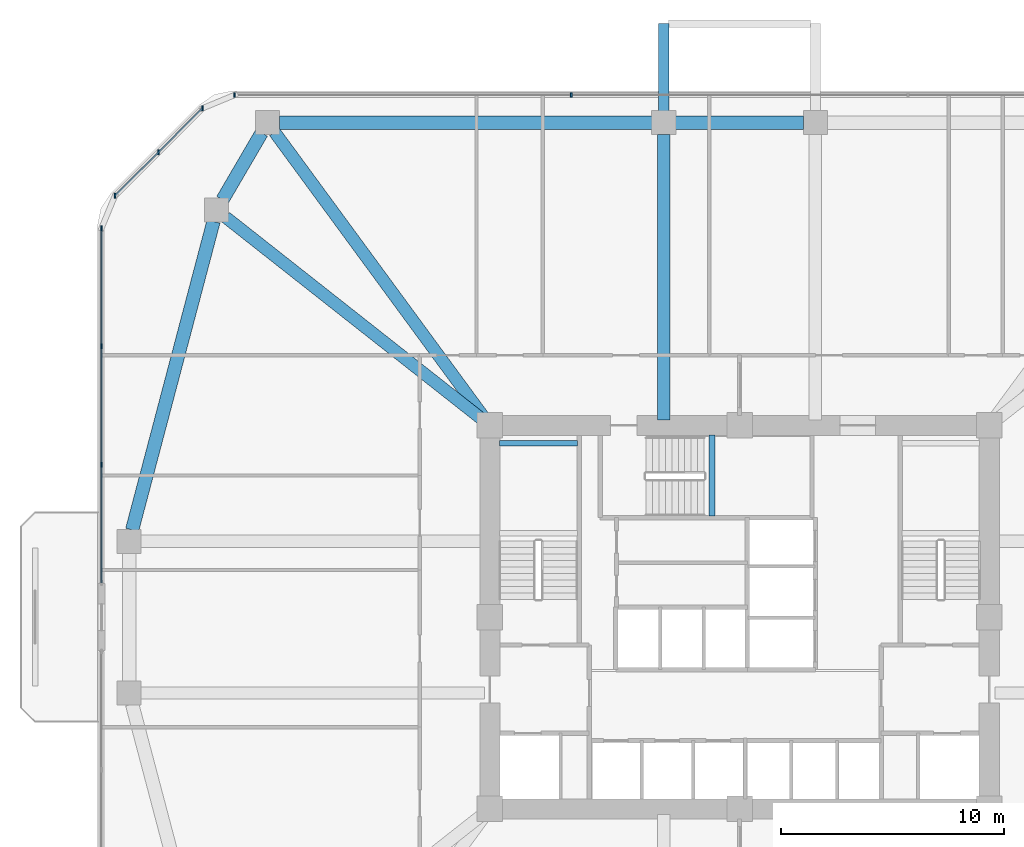
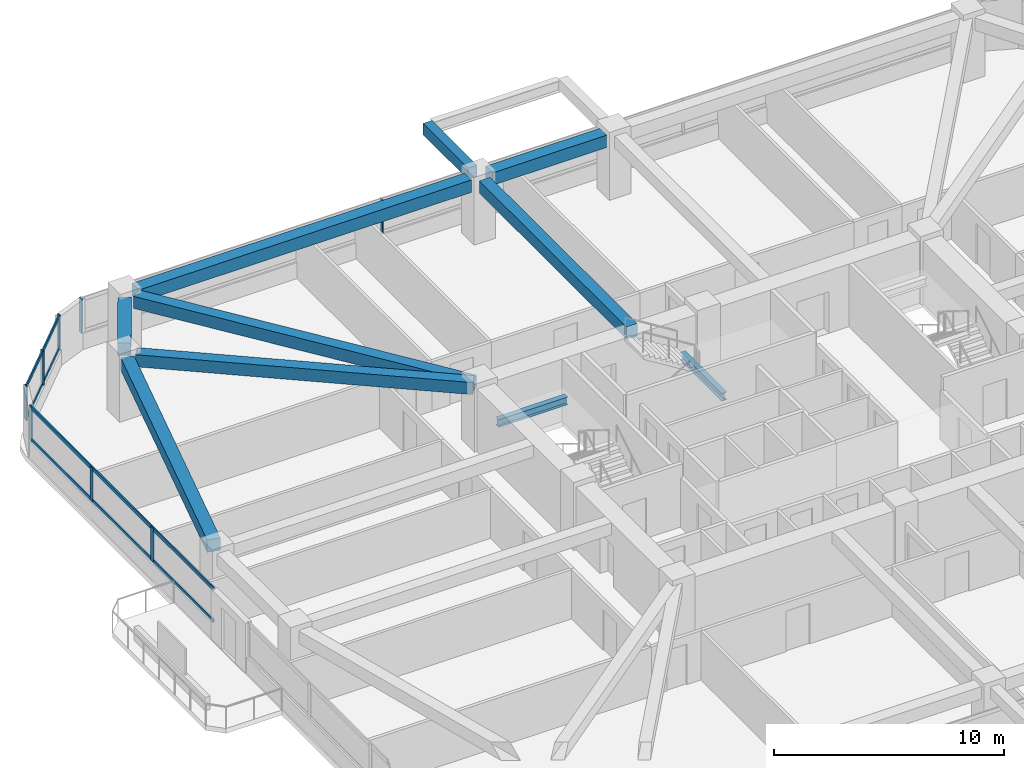
# One storey, part 5 of 14: 12 members, 10 beams, 3 elements without a shape of their own.
"""IFC4 building model written with IfcOpenShell, lengths in metres."""

from ifc_helpers import new_model, si_unit, derived_unit, direction, frame, origin, origin_2d, place, context, subcontext, project, spatial, rectangle, i_section, extrude, material, material_profile, profile_set, type_object, element, aggregate, save


model = new_model("IFC4")

# Units and contexts
model_context = context("Model", 3, precision=1e-05, world=origin(), true_north=direction((0.0, 1.0)))
body_context = subcontext(model_context, "Body", "Model", "MODEL_VIEW")
ifc_project = project(units=[si_unit("LENGTHUNIT", "METRE"), si_unit("AREAUNIT", "SQUARE_METRE"), si_unit("VOLUMEUNIT", "CUBIC_METRE"), si_unit("PLANEANGLEUNIT", "RADIAN"), si_unit("MASSUNIT", "GRAM", prefix="KILO"), derived_unit("THERMALTRANSMITTANCEUNIT", [(si_unit("POWERUNIT", "WATT"), 1), (si_unit("LENGTHUNIT", "METRE"), -2), (si_unit("THERMODYNAMICTEMPERATUREUNIT", "KELVIN"), -1)])], contexts=[model_context])

# Site, building, storey
site_placement = place(None, origin())
site = spatial("IfcSite", under=ifc_project, at=site_placement, CompositionType="ELEMENT")
building_placement = place(site_placement, origin())
building = spatial("IfcBuilding", under=site, at=building_placement, Name="Koralith Skygarden Medical Center", CompositionType="ELEMENT")
storey_placement = place(building_placement, frame((0.0, 0.0, 34.739990234375)))
storey = spatial("IfcBuildingStorey", under=building, at=storey_placement, Name="L08", CompositionType="ELEMENT", Elevation=34.739990234375)

# Curtain wall, members
ifc_material_1 = material(Name="Clear Laminated Glass", Category="glass")
curtain_wall_type = type_object("IfcCurtainWallType", Name="CW-2 Zone 1 Hurricane Unitised Curtain Wall", PredefinedType="NOTDEFINED", material=ifc_material_1)
curtain_wall_1_placement = place(storey_placement, origin())
curtain_wall_1 = element("IfcCurtainWall", 1, at=curtain_wall_1_placement, inside=storey, type_object=curtain_wall_type, Name="Curtain Wall CW-L08-N", PredefinedType="NOTDEFINED")
ifc_material_2 = material(Name="Aluminium 6063-T6", Category="aluminium")
ifc_material_profile_1 = material_profile(ifc_material_2, rectangle(XDim=0.071044921875, YDim=0.219970703125, at=origin_2d()), Name="MUL71X220")
ifc_profile_set_1 = profile_set([ifc_material_profile_1], Name="Aluminium 6063-T6")
member_type_1 = type_object("IfcMemberType", Name="CW-2 Extruded Mullion 71x220", PredefinedType="MULLION", material=ifc_profile_set_1)
member_1_placement = place(storey_placement, frame((29.451904296875, 49.320068359375, 0.85009765625), z_axis=(0.0, 0.0, 1.0), x_axis=(1.0, 0.0, 0.0)))
member_1 = element("IfcMember", 2, at=member_1_placement, type_object=member_type_1, Name="CW-L08-N Mullion 3", PredefinedType="MULLION", context=body_context, shape_type="SweptSolid", body=[
    extrude(rectangle(XDim=0.071044921875, YDim=0.219970703125, at=origin_2d()), origin(), (0.0, 0.0, 1.0), 1.7998046875),
])
member_2_placement = place(storey_placement, frame((14.35498046875, 49.320068359375, 0.85009765625), z_axis=(0.0, 0.0, 1.0), x_axis=(1.0, 0.0, 0.0)))
member_2 = element("IfcMember", 3, at=member_2_placement, type_object=member_type_1, Name="CW-L08-N Mullion 4", PredefinedType="MULLION", context=body_context, shape_type="SweptSolid", body=[
    extrude(rectangle(XDim=0.071044921875, YDim=0.219970703125, at=origin_2d()), origin(), (0.0, 0.0, 1.0), 1.7998046875),
])
aggregate(curtain_wall_1, [member_1, member_2])

curtain_wall_2_placement = place(storey_placement, origin())
curtain_wall_2 = element("IfcCurtainWall", 4, at=curtain_wall_2_placement, inside=storey, type_object=curtain_wall_type, Name="Curtain Wall CW-L08-NW", PredefinedType="NOTDEFINED")
member_3_placement = place(storey_placement, frame((12.904052734375, 48.718994140625, 0.85009765625), z_axis=(0.0, 0.0, 1.0), x_axis=(1.0, 0.0, 0.0)))
member_3 = element("IfcMember", 5, at=member_3_placement, type_object=member_type_1, Name="CW-L08-NW Mullion 1", PredefinedType="MULLION", context=body_context, shape_type="SweptSolid", body=[
    extrude(rectangle(XDim=0.071044921875, YDim=0.219970703125, at=origin_2d()), origin(), (0.0, 0.0, 1.0), 1.7998046875),
])
member_4_placement = place(storey_placement, frame((10.94189453125, 46.758056640625, 0.85009765625), z_axis=(0.0, 0.0, 1.0), x_axis=(1.0, 0.0, 0.0)))
member_4 = element("IfcMember", 6, at=member_4_placement, type_object=member_type_1, Name="CW-L08-NW Mullion 2", PredefinedType="MULLION", context=body_context, shape_type="SweptSolid", body=[
    extrude(rectangle(XDim=0.071044921875, YDim=0.219970703125, at=origin_2d()), origin(), (0.0, 0.0, 1.0), 1.7998046875),
])
member_5_placement = place(storey_placement, frame((8.98095703125, 44.7958984375, 0.85009765625), z_axis=(0.0, 0.0, 1.0), x_axis=(1.0, 0.0, 0.0)))
member_5 = element("IfcMember", 7, at=member_5_placement, type_object=member_type_1, Name="CW-L08-NW Mullion 3", PredefinedType="MULLION", context=body_context, shape_type="SweptSolid", body=[
    extrude(rectangle(XDim=0.071044921875, YDim=0.219970703125, at=origin_2d()), origin(), (0.0, 0.0, 1.0), 1.7998046875),
])

curtain_wall_3_placement = place(storey_placement, origin())
curtain_wall_3 = element("IfcCurtainWall", 8, at=curtain_wall_3_placement, inside=storey, type_object=curtain_wall_type, Name="Curtain Wall CW-L08-W-L", PredefinedType="NOTDEFINED")
member_6_placement = place(storey_placement, frame((8.3798828125, 43.344970703125, 0.85009765625), z_axis=(0.0, 0.0, 1.0), x_axis=(1.0, 0.0, 0.0)))
member_6 = element("IfcMember", 9, at=member_6_placement, type_object=member_type_1, Name="CW-L08-W-L Mullion 1", PredefinedType="MULLION", context=body_context, shape_type="SweptSolid", body=[
    extrude(rectangle(XDim=0.071044921875, YDim=0.219970703125, at=origin_2d()), origin(), (0.0, 0.0, 1.0), 1.7998046875),
])
member_7_placement = place(storey_placement, frame((8.3798828125, 38.04296875, 0.85009765625), z_axis=(0.0, 0.0, 1.0), x_axis=(1.0, 0.0, 0.0)))
member_7 = element("IfcMember", 10, at=member_7_placement, type_object=member_type_1, Name="CW-L08-W-L Mullion 2", PredefinedType="MULLION", context=body_context, shape_type="SweptSolid", body=[
    extrude(rectangle(XDim=0.071044921875, YDim=0.219970703125, at=origin_2d()), origin(), (0.0, 0.0, 1.0), 1.7998046875),
])
member_8_placement = place(storey_placement, frame((8.3798828125, 32.741943359375, 0.85009765625), z_axis=(0.0, 0.0, 1.0), x_axis=(1.0, 0.0, 0.0)))
member_8 = element("IfcMember", 11, at=member_8_placement, type_object=member_type_1, Name="CW-L08-W-L Mullion 3", PredefinedType="MULLION", context=body_context, shape_type="SweptSolid", body=[
    extrude(rectangle(XDim=0.071044921875, YDim=0.219970703125, at=origin_2d()), origin(), (0.0, 0.0, 1.0), 1.7998046875),
])

# Member
ifc_material_profile_2 = material_profile(ifc_material_2, rectangle(XDim=0.06591796875, YDim=0.197998046875, at=origin_2d()), Name="TRN66X198")
ifc_profile_set_2 = profile_set([ifc_material_profile_2], Name="Aluminium 6063-T6")
member_type_2 = type_object("IfcMemberType", Name="CW-2 Thermal Transom 66x198", PredefinedType="USERDEFINED", material=ifc_profile_set_2)
member_9_placement = place(storey_placement, frame((12.904052734375, 48.718994140625, 0.89990234375), z_axis=(-0.707106781187, -0.707106781187, 0.0), x_axis=(0.707106781187, -0.707106781187, 0.0)))
member_9 = element("IfcMember", 12, at=member_9_placement, type_object=member_type_2, Name="CW-L08-NW Transom 1", ObjectType="TRANSOM", PredefinedType="USERDEFINED", context=body_context, shape_type="SweptSolid", body=[
    extrude(rectangle(XDim=0.06591796875, YDim=0.197998046875, at=origin_2d()), origin(), (0.0, 0.0, 1.0), 5.548095703125),
])

member_10_placement = place(storey_placement, frame((12.904052734375, 48.718994140625, 2.60009765625), z_axis=(-0.707106781187, -0.707106781187, 0.0), x_axis=(0.707106781187, -0.707106781187, 0.0)))
member_10 = element("IfcMember", 13, at=member_10_placement, type_object=member_type_2, Name="CW-L08-NW Transom 2", ObjectType="TRANSOM", PredefinedType="USERDEFINED", context=body_context, shape_type="SweptSolid", body=[
    extrude(rectangle(XDim=0.06591796875, YDim=0.197998046875, at=origin_2d()), origin(), (0.0, 0.0, 1.0), 5.548095703125),
])

aggregate(curtain_wall_2, [member_3, member_4, member_5, member_9, member_10])

member_11_placement = place(storey_placement, frame((8.3798828125, 43.344970703125, 0.89990234375), z_axis=(0.0, -1.0, 0.0), x_axis=(1.0, 0.0, 0.0)))
member_11 = element("IfcMember", 14, at=member_11_placement, type_object=member_type_2, Name="CW-L08-W-L Transom 1", ObjectType="TRANSOM", PredefinedType="USERDEFINED", context=body_context, shape_type="SweptSolid", body=[
    extrude(rectangle(XDim=0.06591796875, YDim=0.197998046875, at=origin_2d()), origin(), (0.0, 0.0, 1.0), 15.905029296875),
])

member_12_placement = place(storey_placement, frame((8.3798828125, 43.344970703125, 2.60009765625), z_axis=(0.0, -1.0, 0.0), x_axis=(1.0, 0.0, 0.0)))
member_12 = element("IfcMember", 15, at=member_12_placement, type_object=member_type_2, Name="CW-L08-W-L Transom 2", ObjectType="TRANSOM", PredefinedType="USERDEFINED", context=body_context, shape_type="SweptSolid", body=[
    extrude(rectangle(XDim=0.06591796875, YDim=0.197998046875, at=origin_2d()), origin(), (0.0, 0.0, 1.0), 15.905029296875),
])

aggregate(curtain_wall_3, [member_6, member_7, member_8, member_11, member_12])

# Beams
ifc_material_3 = material(Name="Steel ASTM A992 Grade 50", Category="steel")
ifc_material_profile_3 = material_profile(ifc_material_3, i_section(OverallWidth=0.260009765625, OverallDepth=0.4150390625, WebThickness=0.010009765625, FlangeThickness=0.016845703125, at=origin_2d()), Name="W16X67")
ifc_profile_set_3 = profile_set([ifc_material_profile_3], Name="Steel ASTM A992 Grade 50")
beam_type_1 = type_object("IfcBeamType", Name="Clinical Floor Joist W16X67", PredefinedType="JOIST", material=ifc_profile_set_3)
beam_1_placement = place(storey_placement, frame((26.22998046875, 33.699951171875, 1.39208984375), z_axis=(1.0, 0.0, 0.0), x_axis=(0.0, 1.0, 0.0)))
element("IfcBeam", 16, at=beam_1_placement, inside=storey, type_object=beam_type_1, Name="L08 Stair ST1 Half-Landing Support Beam 1B", PredefinedType="JOIST", context=body_context, shape_type="SweptSolid", body=[
    extrude(i_section(OverallWidth=0.260009765625, OverallDepth=0.4150390625, WebThickness=0.010009765625, FlangeThickness=0.016845703125, at=origin_2d()), origin(), (0.0, 0.0, 1.0), 3.489990234375),
])
beam_2_placement = place(storey_placement, frame((35.760009765625, 30.43994140625, 1.39208984375), z_axis=(0.0, 1.0, 0.0), x_axis=(-1.0, 0.0, 0.0)))
element("IfcBeam", 17, at=beam_2_placement, inside=storey, type_object=beam_type_1, Name="L08 Stair ST3 Half-Landing Support Beam 1A", PredefinedType="JOIST", context=body_context, shape_type="SweptSolid", body=[
    extrude(i_section(OverallWidth=0.260009765625, OverallDepth=0.4150390625, WebThickness=0.010009765625, FlangeThickness=0.016845703125, at=origin_2d()), origin(), (0.0, 0.0, 1.0), 3.630126953125),
])
ifc_material_4 = material(Name="Concrete C45/55", Category="concrete")
ifc_material_profile_4 = material_profile(ifc_material_4, rectangle(XDim=0.449951171875, YDim=0.60009765625, at=origin_2d()), Name="RCB450X600")
ifc_profile_set_4 = profile_set([ifc_material_profile_4], Name="Concrete C45/55")
beam_type_2 = type_object("IfcBeamType", Name="Planted Balcony Cantilever Beam RCB450X600", PredefinedType="BEAM", material=ifc_profile_set_4)
beam_3_placement = place(storey_placement, frame((33.60009765625, 48.60009765625, 3.0400390625), z_axis=(0.0, 1.0, 0.0), x_axis=(-1.0, 0.0, 0.0)))
element("IfcBeam", 18, at=beam_3_placement, inside=storey, type_object=beam_type_2, Name="L09 N Balcony Cantilever Beam A", PredefinedType="BEAM", context=body_context, shape_type="SweptSolid", body=[
    extrude(rectangle(XDim=0.449951171875, YDim=0.60009765625, at=origin_2d()), origin(), (0.0, 0.0, 1.0), 3.919921875),
])
ifc_material_profile_5 = material_profile(ifc_material_4, rectangle(XDim=0.550048828125, YDim=0.639892578125, at=origin_2d()), Name="RCB550X640")
ifc_profile_set_5 = profile_set([ifc_material_profile_5], Name="Concrete C45/55")
beam_type_3 = type_object("IfcBeamType", Name="Radial Collector Beam RCB550X640", PredefinedType="BEAM", material=ifc_profile_set_5)
beam_4_placement = place(storey_placement, frame((33.60009765625, 34.75, 3.0), z_axis=(0.0, 1.0, 0.0), x_axis=(-1.0, 0.0, 0.0)))
element("IfcBeam", 19, at=beam_4_placement, inside=storey, type_object=beam_type_3, Name="L08 Radial Collector Beam RB-13", PredefinedType="BEAM", context=body_context, shape_type="SweptSolid", body=[
    extrude(rectangle(XDim=0.550048828125, YDim=0.639892578125, at=origin_2d()), origin(), (0.0, 0.0, 1.0), 12.800048828125),
])
beam_5_placement = place(storey_placement, frame((25.652099609375, 34.701904296875, 3.0), z_axis=(-0.591710803277, 0.806150311843, 0.0), x_axis=(-0.806150311843, -0.591710803277, 0.0)))
element("IfcBeam", 20, at=beam_5_placement, inside=storey, type_object=beam_type_3, Name="L08 Radial Collector Beam RB-14", PredefinedType="BEAM", context=body_context, shape_type="SweptSolid", body=[
    extrude(rectangle(XDim=0.550048828125, YDim=0.639892578125, at=origin_2d()), origin(), (0.0, 0.0, 1.0), 16.0654296875),
])
beam_6_placement = place(storey_placement, frame((25.60400390625, 34.655029296875, 3.0), z_axis=(-0.785497250365, 0.618865146594, 0.0), x_axis=(-0.618865146594, -0.785497250365, 0.0)))
element("IfcBeam", 21, at=beam_6_placement, inside=storey, type_object=beam_type_3, Name="L08 Radial Collector Beam RB-15", PredefinedType="BEAM", context=body_context, shape_type="SweptSolid", body=[
    extrude(rectangle(XDim=0.550048828125, YDim=0.639892578125, at=origin_2d()), origin(), (0.0, 0.0, 1.0), 14.828857421875),
])
ifc_material_profile_6 = material_profile(ifc_material_4, rectangle(XDim=0.60009765625, YDim=0.659912109375, at=origin_2d()), Name="RCB600X660")
ifc_profile_set_6 = profile_set([ifc_material_profile_6], Name="Concrete C45/55")
beam_type_4 = type_object("IfcBeamType", Name="Zone 1 Spandrel Beam RCB600X660", PredefinedType="SPANDREL", material=ifc_profile_set_6)
beam_7_placement = place(storey_placement, frame((39.8701171875, 48.080078125, 2.989990234375), z_axis=(-1.0, 0.0, 0.0), x_axis=(0.0, -1.0, 0.0)))
element("IfcBeam", 22, at=beam_7_placement, inside=storey, type_object=beam_type_4, Name="L08 Perimeter Spandrel Beam SP-12", PredefinedType="SPANDREL", context=body_context, shape_type="SweptSolid", body=[
    extrude(rectangle(XDim=0.60009765625, YDim=0.659912109375, at=origin_2d()), origin(), (0.0, 0.0, 1.0), 5.740234375),
])
beam_8_placement = place(storey_placement, frame((33.070068359375, 48.080078125, 2.989990234375), z_axis=(-1.0, 0.0, 0.0), x_axis=(0.0, -1.0, 0.0)))
element("IfcBeam", 23, at=beam_8_placement, inside=storey, type_object=beam_type_4, Name="L08 Perimeter Spandrel Beam SP-13", PredefinedType="SPANDREL", context=body_context, shape_type="SweptSolid", body=[
    extrude(rectangle(XDim=0.60009765625, YDim=0.659912109375, at=origin_2d()), origin(), (0.0, 0.0, 1.0), 16.7080078125),
])
beam_9_placement = place(storey_placement, frame((15.56396484375, 47.6220703125, 2.989990234375), z_axis=(-0.504608092658, -0.863348523381, 0.0), x_axis=(0.863348523381, -0.504608092658, 0.0)))
element("IfcBeam", 24, at=beam_9_placement, inside=storey, type_object=beam_type_4, Name="L08 Perimeter Spandrel Beam SP-14", PredefinedType="SPANDREL", context=body_context, shape_type="SweptSolid", body=[
    extrude(rectangle(XDim=0.60009765625, YDim=0.659912109375, at=origin_2d()), origin(), (0.0, 0.0, 1.0), 3.479736328125),
])
beam_10_placement = place(storey_placement, frame((13.405029296875, 43.64794921875, 2.989990234375), z_axis=(-0.255088684842, -0.966917660851, 0.0), x_axis=(0.966917660851, -0.255088684842, 0.0)))
element("IfcBeam", 25, at=beam_10_placement, inside=storey, type_object=beam_type_4, Name="L08 Perimeter Spandrel Beam SP-15", PredefinedType="SPANDREL", context=body_context, shape_type="SweptSolid", body=[
    extrude(rectangle(XDim=0.60009765625, YDim=0.659912109375, at=origin_2d()), origin(), (0.0, 0.0, 1.0), 14.309326171875),
])

save(model, "model.ifc")
